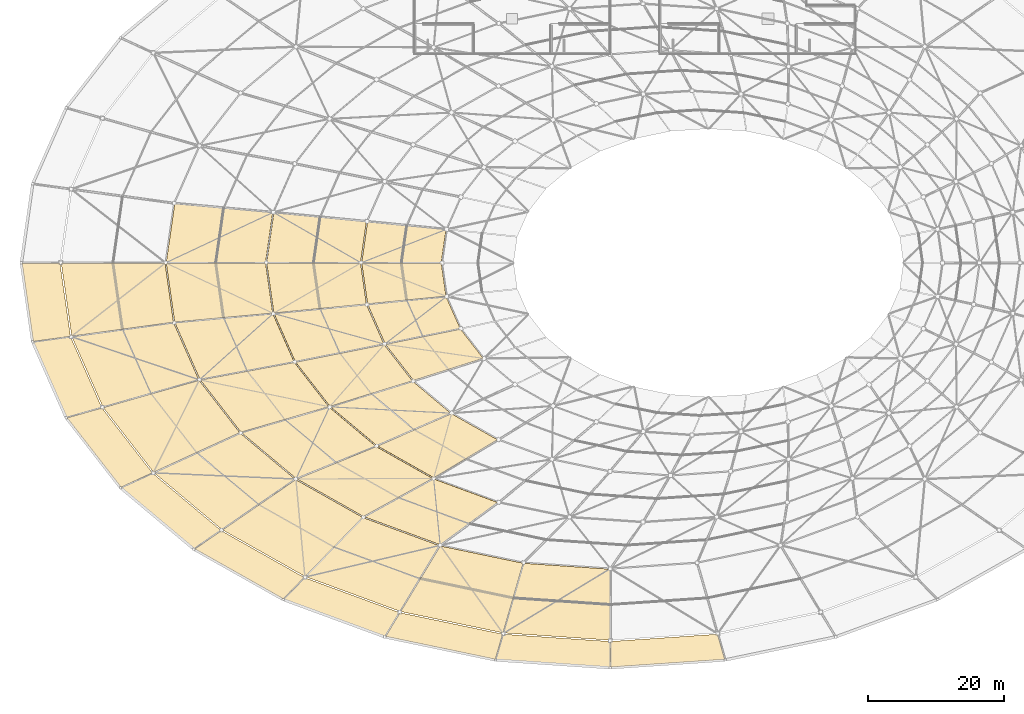
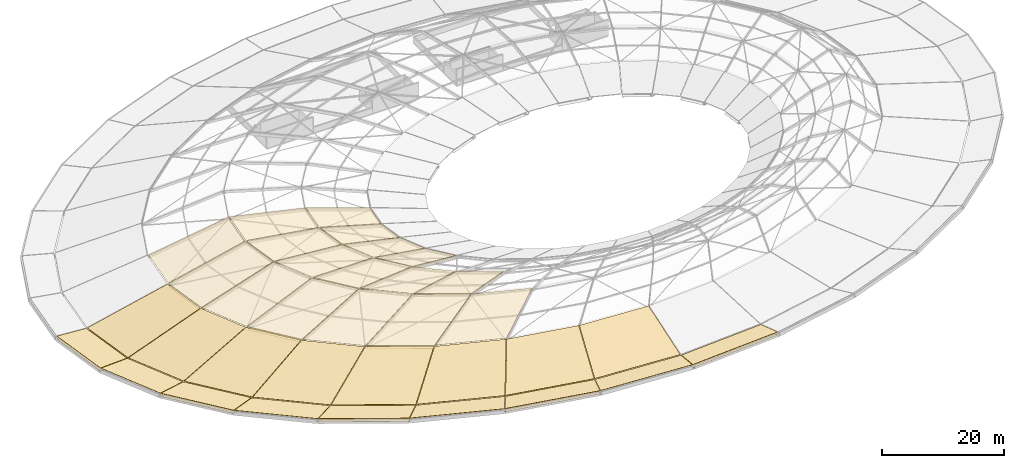
# One storey, part 24 of 30: 51 coverings.
"""IFC4 building model written with IfcOpenShell, lengths in metres."""

from ifc_helpers import new_model, si_unit, direction, frame, origin, place, context, subcontext, project, spatial, polyline, outline, extrude, material, layer, layer_set, type_object, element, save


model = new_model("IFC4")

# Units and contexts
model_context = context("Model", 3, precision=1e-05, world=origin(), true_north=direction((0.0, 1.0)))
body_context = subcontext(model_context, "Body", "Model", "MODEL_VIEW")
ifc_project = project(units=[si_unit("LENGTHUNIT", "METRE"), si_unit("AREAUNIT", "SQUARE_METRE"), si_unit("VOLUMEUNIT", "CUBIC_METRE"), si_unit("PLANEANGLEUNIT", "RADIAN"), si_unit("MASSUNIT", "GRAM", prefix="KILO")], contexts=[model_context])

# Site, building, storey
site_placement = place(None, origin())
site = spatial("IfcSite", under=ifc_project, at=site_placement, CompositionType="ELEMENT")
building_placement = place(site_placement, origin())
building = spatial("IfcBuilding", under=site, at=building_placement, Name="Namkhue Oval Health Centre", CompositionType="ELEMENT")
storey_placement = place(building_placement, frame((0.0, 0.0, 26.39990234375)))
storey = spatial("IfcBuildingStorey", under=building, at=storey_placement, Name="RF", CompositionType="ELEMENT", Elevation=26.39990234375)

# Coverings
ifc_material_1 = material(Name="Slatted FSC timber acoustic soffit lining", Category="wood")
ifc_layer_1 = layer(ifc_material_1, 0.0400390625)
ifc_layer_set_1 = layer_set([ifc_layer_1], Name="Slatted FSC timber acoustic soffit lining")
covering_type_1 = type_object("IfcCoveringType", Name="SLATTED TIMBER SOFFIT CEILING 40", PredefinedType="CEILING", material=ifc_layer_set_1)
covering_1_placement = place(storey_placement, frame((0.0966796875, 59.35791015625, 0.493896484375), z_axis=(0.069282681268, 0.009925887748, 0.997547686494), x_axis=(0.141818789153, -0.989892636119, -2.2834e-08)))
element("IfcCovering", 1, at=covering_1_placement, inside=storey, type_object=covering_type_1, Name="Gridshell Canopy Slatted Timber Soffit K0-17", PredefinedType="CEILING", context=body_context, shape_type="SweptSolid", body=[
    extrude(outline(polyline([(0.0, 0.0), (11.609775872580732, 0.0), (11.645242152580257, 5.535796385740252), (0.7911521895472892, 5.5358037144845245), (0.0, 0.0)])), origin(), (0.0, 0.0, -1.0), 0.0400390625),
])
covering_2_placement = place(storey_placement, frame((6.69775390625, 36.659423828125, 0.4931640625), z_axis=(0.061353092778, 0.047699993446, 0.996975681063), x_axis=(0.613788661906, -0.789470378492, -1.01146e-07)))
element("IfcCovering", 2, at=covering_2_placement, inside=storey, type_object=covering_type_1, Name="Gridshell Canopy Slatted Timber Soffit K0-19", PredefinedType="CEILING", context=body_context, shape_type="SweptSolid", body=[
    extrude(outline(polyline([(0.0, 0.0), (12.904530024973468, -1.7763568394002505e-15), (14.065122094901227, 4.966725279068559), (1.9974373308770812, 4.966757780622861), (0.0, 0.0)])), origin(), (0.0, 0.0, -1.0), 0.0400390625),
])
covering_3_placement = place(storey_placement, frame((25.428955078125, 17.431396484375, 0.491943359375), z_axis=(0.044082287911, 0.078130329397, 0.995968073545), x_axis=(0.870932540998, -0.491402593634, 7.5051e-07)))
element("IfcCovering", 3, at=covering_3_placement, inside=storey, type_object=covering_type_1, Name="Gridshell Canopy Slatted Timber Soffit K0-21", PredefinedType="CEILING", context=body_context, shape_type="SweptSolid", body=[
    extrude(outline(polyline([(0.0, 0.0), (14.922605270966258, 8.881784197001252e-16), (16.044276304038124, 4.278318608406351), (2.0835890926502767, 4.278076967777502), (0.0, 0.0)])), origin(), (0.0, 0.0, -1.0), 0.0400390625),
])
covering_4_placement = place(storey_placement, frame((53.4287109375, 4.59375, 0.4912109375), z_axis=(0.020162594612, 0.096678667987, 0.995111403278), x_axis=(0.978938643116, -0.204154679137, -5.43225e-07)))
element("IfcCovering", 4, at=covering_4_placement, inside=storey, type_object=covering_type_1, Name="Gridshell Canopy Slatted Timber Soffit K0-23", PredefinedType="CEILING", context=body_context, shape_type="SweptSolid", body=[
    extrude(outline(polyline([(0.0, 0.0), (16.44548514449708, 0.0), (16.739185501966013, 3.8712016919141634), (1.3480980272479761, 3.8713768096491212), (0.0, 0.0)])), origin(), (0.0, 0.0, -1.0), 0.0400390625),
])
covering_5_placement = place(storey_placement, frame((86.44189453125, 0.092529296875, 0.490966796875), z_axis=(-0.006804900221, 0.100488821262, 0.994914916028), x_axis=(0.997714776227, 0.067566450978, -3.25168e-07)))
element("IfcCovering", 5, at=covering_5_placement, inside=storey, type_object=covering_type_1, Name="Gridshell Canopy Slatted Timber Soffit K0-25", PredefinedType="CEILING", context=body_context, shape_type="SweptSolid", body=[
    extrude(outline(polyline([(0.0, 0.0), (16.78396061186959, 0.0), (15.964178744881922, 3.7910511423014657), (0.25543627977352656, 3.791156043824099), (0.0, 0.0)])), origin(), (0.0, 0.0, -1.0), 0.0400390625),
])
covering_6_placement = place(storey_placement, frame((5.854736328125, 59.35791015625, 0.1201171875), z_axis=(-0.221413348725, -0.031718459154, 0.97466407975), x_axis=(0.141800417917, -0.989895267933, -1.484862e-06)))
element("IfcCovering", 6, at=covering_6_placement, inside=storey, type_object=covering_type_1, Name="Gridshell Canopy Slatted Timber Soffit K1-17", PredefinedType="CEILING", context=body_context, shape_type="SweptSolid", body=[
    extrude(outline(polyline([(0.0, 0.0), (10.829644981357593, 0.0), (10.925804019640317, 15.468858873485592), (2.159716315494854, 15.468728786878048), (0.0, 0.0)])), origin(), (0.0, 0.0, -1.0), 0.0400390625),
])
covering_7_placement = place(storey_placement, frame((12.0166015625, 38.174072265625, 0.122314453125), z_axis=(-0.195063290882, -0.151654668639, 0.968994929827), x_axis=(0.613791429974, -0.789468226395, 1.686253e-06)))
element("IfcCovering", 7, at=covering_7_placement, inside=storey, type_object=covering_type_1, Name="Gridshell Canopy Slatted Timber Soffit K1-19", PredefinedType="CEILING", context=body_context, shape_type="SweptSolid", body=[
    extrude(outline(polyline([(0.0, 0.0), (12.03775000424654, -8.881784197001252e-16), (15.214208976742112, 13.985479492677714), (5.466552544333209, 13.985628171747823), (0.0, 0.0)])), origin(), (0.0, 0.0, -1.0), 0.0400390625),
])
covering_8_placement = place(storey_placement, frame((29.49853515625, 20.229736328125, 0.12548828125), z_axis=(-0.138902229904, -0.246186978016, 0.959217463552), x_axis=(0.870933882216, -0.49140021653, -1.747221e-06)))
element("IfcCovering", 8, at=covering_8_placement, inside=storey, type_object=covering_type_1, Name="Gridshell Canopy Slatted Timber Soffit K1-21", PredefinedType="CEILING", context=body_context, shape_type="SweptSolid", body=[
    extrude(outline(polyline([(0.0, 0.0), (13.921561245083678, 8.881784197001252e-16), (17.00337112042887, 12.202422015070987), (5.7236427018849385, 12.20226624210778), (0.0, 0.0)])), origin(), (0.0, 0.0, -1.0), 0.0400390625),
])
covering_9_placement = place(storey_placement, frame((55.630615234375, 8.248779296875, 0.1279296875), z_axis=(-0.063022801569, -0.302182288875, 0.951164544531), x_axis=(0.978936194294, -0.204166421091, -1.83896e-07)))
element("IfcCovering", 9, at=covering_9_placement, inside=storey, type_object=covering_type_1, Name="Gridshell Canopy Slatted Timber Soffit K1-23", PredefinedType="CEILING", context=body_context, shape_type="SweptSolid", body=[
    extrude(outline(polyline([(0.0, 0.0), (15.34320602890022, 4.440892098500626e-16), (16.15162340111352, 11.15812721258163), (3.7141082909073306, 11.158110662478554), (0.0, 0.0)])), origin(), (0.0, 0.0, -1.0), 0.0400390625),
])
covering_10_placement = place(storey_placement, frame((21.262451171875, 59.35791015625, 3.62060546875), z_axis=(-0.22470367184, -0.032192129763, 0.973895233915), x_axis=(0.141834633453, -0.989890366018, 4.193282e-06)))
element("IfcCovering", 10, at=covering_10_placement, inside=storey, type_object=covering_type_1, Name="Gridshell Canopy Slatted Timber Soffit K2-17", PredefinedType="CEILING", context=body_context, shape_type="SweptSolid", body=[
    extrude(outline(polyline([(0.0, 0.0), (8.745889658678347, 0.0), (9.480744511329501, 14.797891225040761), (2.064996149093741, 14.798189775302994), (0.0, 0.0)])), origin(), (0.0, 0.0, -1.0), 0.0400390625),
])
covering_11_placement = place(storey_placement, frame((26.25830078125, 42.21875, 3.62353515625), z_axis=(-0.205052770393, -0.159424689867, 0.965679620586), x_axis=(0.613799403914, -0.789462026796, 1.583811e-06)))
element("IfcCovering", 11, at=covering_11_placement, inside=storey, type_object=covering_type_1, Name="Gridshell Canopy Slatted Timber Soffit K2-19", PredefinedType="CEILING", context=body_context, shape_type="SweptSolid", body=[
    extrude(outline(polyline([(0.0, 0.0), (9.719092044133925, -8.881784197001252e-16), (14.671067427182678, 12.910209762648428), (6.4274927459303495, 12.910319294848465), (0.0, 0.0)])), origin(), (0.0, 0.0, -1.0), 0.0400390625),
])
covering_12_placement = place(storey_placement, frame((40.42041015625, 27.70361328125, 3.62890625), z_axis=(-0.157932716569, -0.279916679533, 0.946944512396), x_axis=(0.870935925202, -0.491396595625, -8.73078e-07)))
element("IfcCovering", 12, at=covering_12_placement, inside=storey, type_object=covering_type_1, Name="Gridshell Canopy Slatted Timber Soffit K2-21", PredefinedType="CEILING", context=body_context, shape_type="SweptSolid", body=[
    extrude(outline(polyline([(0.0, 0.0), (11.233819732945681, 0.0), (17.325795123263152, 10.399286026935444), (7.791027880475331, 10.399229608860034), (0.0, 0.0)])), origin(), (0.0, 0.0, -1.0), 0.0400390625),
])
covering_13_placement = place(storey_placement, frame((35.999755859375, 59.35791015625, 6.98583984375), z_axis=(0.155892882129, 0.022331172945, 0.987521507622), x_axis=(0.141818146376, -0.989892728203, -3.011444e-06)))
element("IfcCovering", 13, at=covering_13_placement, inside=storey, type_object=covering_type_1, Name="Gridshell Canopy Slatted Timber Soffit K3-17", PredefinedType="CEILING", context=body_context, shape_type="SweptSolid", body=[
    extrude(outline(polyline([(0.0, 0.0), (7.399002988090212, 0.0), (8.021045574500889, 13.789362744120753), (1.950940888829387, 13.789620303076617), (0.0, 0.0)])), origin(), (0.0, 0.0, -1.0), 0.0400390625),
])
covering_14_placement = place(storey_placement, frame((40.239013671875, 44.834228515625, 6.98388671875), z_axis=(0.142248579198, 0.110596646887, 0.983632921071), x_axis=(0.613786820407, -0.789471810191, 2.675678e-06)))
element("IfcCovering", 14, at=covering_14_placement, inside=storey, type_object=covering_type_1, Name="Gridshell Canopy Slatted Timber Soffit K3-19", PredefinedType="CEILING", context=body_context, shape_type="SweptSolid", body=[
    extrude(outline(polyline([(0.0, 0.0), (8.222526150547626, 0.0), (12.685524010571982, 12.02944945295332), (5.9369950008427645, 12.029227137281696), (0.0, 0.0)])), origin(), (0.0, 0.0, -1.0), 0.0400390625),
])
covering_15_placement = place(storey_placement, frame((52.24560546875, 32.537109375, 6.97998046875), z_axis=(0.109499132957, 0.194068108634, 0.974857686585), x_axis=(0.87093592345, -0.491396598725, -2.379809e-06)))
element("IfcCovering", 15, at=covering_15_placement, inside=storey, type_object=covering_type_1, Name="Gridshell Canopy Slatted Timber Soffit K3-21", PredefinedType="CEILING", context=body_context, shape_type="SweptSolid", body=[
    extrude(outline(polyline([(0.0, 0.0), (9.50536278200082, -4.440892098500626e-16), (14.905402502878077, 9.69300477375637), (7.097549177336798, 9.693189679027553), (0.0, 0.0)])), origin(), (0.0, 0.0, -1.0), 0.0400390625),
])
covering_16_placement = place(storey_placement, frame((49.933349609375, 59.35791015625, 4.775146484375), z_axis=(0.275812295633, 0.039514441976, 0.960398972538), x_axis=(0.141816706883, -0.989892934437, 2.86793e-07)))
element("IfcCovering", 16, at=covering_16_placement, inside=storey, type_object=covering_type_1, Name="Gridshell Canopy Slatted Timber Soffit K4-17", PredefinedType="CEILING", context=body_context, shape_type="SweptSolid", body=[
    extrude(outline(polyline([(0.0, 0.0), (6.052875961513546, 0.0), (6.553704498674804, 12.023537177294001), (1.6543310879363076, 12.0235259041184), (0.0, 0.0)])), origin(), (0.0, 0.0, -1.0), 0.0400390625),
])
covering_17_placement = place(storey_placement, frame((53.414794921875, 47.4482421875, 4.771728515625), z_axis=(0.249144348708, 0.193700191967, 0.948897955072), x_axis=(0.613787122284, -0.789471575497, -8.40028e-07)))
element("IfcCovering", 17, at=covering_17_placement, inside=storey, type_object=covering_type_1, Name="Gridshell Canopy Slatted Timber Soffit K4-19", PredefinedType="CEILING", context=body_context, shape_type="SweptSolid", body=[
    extrude(outline(polyline([(0.0, 0.0), (6.727330628063897, -4.440892098500626e-16), (10.432640643092315, 10.593892153102285), (4.984067476655105, 10.59392456326599), (0.0, 0.0)])), origin(), (0.0, 0.0, -1.0), 0.0400390625),
])
ifc_material_2 = material(Name="Standing-seam aluminium-zinc insulated roofing", Category="aluminium")
ifc_layer_2 = layer(ifc_material_2, 0.044921875)
ifc_layer_set_2 = layer_set([ifc_layer_2], Name="Standing-seam aluminium-zinc insulated roofing")
covering_type_2 = type_object("IfcCoveringType", Name="STANDING SEAM ROOFING 45", PredefinedType="ROOFING", material=ifc_layer_set_2)
covering_18_placement = place(storey_placement, frame((0.0966796875, 59.35791015625, 1.140869140625), z_axis=(0.069282681268, 0.009925887748, 0.997547686494), x_axis=(0.141818789153, -0.989892636119, -2.2834e-08)))
element("IfcCovering", 18, at=covering_18_placement, inside=storey, type_object=covering_type_2, Name="Elliptical Gridshell Standing Seam Roofing K0-17", PredefinedType="ROOFING", context=body_context, shape_type="SweptSolid", body=[
    extrude(outline(polyline([(0.0, 0.0), (11.609775872580732, 0.0), (11.645242152580257, 5.535796385740252), (0.7911521895472892, 5.5358037144845245), (0.0, 0.0)])), origin(), (0.0, 0.0, -1.0), 0.044921875),
])
covering_19_placement = place(storey_placement, frame((1.770263671875, 47.784423828125, 1.140625), z_axis=(0.06660838472, 0.029389630456, 0.997346265199), x_axis=(0.403673089627, -0.914903293638, 6.58997e-07)))
element("IfcCovering", 19, at=covering_19_placement, inside=storey, type_object=covering_type_2, Name="Elliptical Gridshell Standing Seam Roofing K0-18", PredefinedType="ROOFING", context=body_context, shape_type="SweptSolid", body=[
    extrude(outline(polyline([(0.0, 0.0), (12.080233983209022, 1.7763568394002505e-15), (12.817041356788296, 5.315245851747813), (1.5223159103975274, 5.315034269718734), (0.0, 0.0)])), origin(), (0.0, 0.0, -1.0), 0.044921875),
])
covering_20_placement = place(storey_placement, frame((6.69775390625, 36.659423828125, 1.14013671875), z_axis=(0.061353092778, 0.047699993446, 0.996975681063), x_axis=(0.613788661906, -0.789470378492, -1.01146e-07)))
element("IfcCovering", 20, at=covering_20_placement, inside=storey, type_object=covering_type_2, Name="Elliptical Gridshell Standing Seam Roofing K0-19", PredefinedType="ROOFING", context=body_context, shape_type="SweptSolid", body=[
    extrude(outline(polyline([(0.0, 0.0), (12.904530024973468, -1.7763568394002505e-15), (14.065122094901227, 4.966725279068559), (1.9974373308770812, 4.966757780622861), (0.0, 0.0)])), origin(), (0.0, 0.0, -1.0), 0.044921875),
])
covering_21_placement = place(storey_placement, frame((14.686767578125, 26.41064453125, 1.1396484375), z_axis=(0.053761436773, 0.064177212126, 0.996489334293), x_axis=(0.766569996245, -0.642160759356, 1.83531e-07)))
element("IfcCovering", 21, at=covering_21_placement, inside=storey, type_object=covering_type_2, Name="Elliptical Gridshell Standing Seam Roofing K0-20", PredefinedType="ROOFING", context=body_context, shape_type="SweptSolid", body=[
    extrude(outline(polyline([(0.0, 0.0), (13.909490126418302, 0.0), (15.183499884355886, 4.598822558229168), (2.173459471324449, 4.598763544971246), (0.0, 0.0)])), origin(), (0.0, 0.0, -1.0), 0.044921875),
])
covering_22_placement = place(storey_placement, frame((25.428955078125, 17.431396484375, 1.138916015625), z_axis=(0.044082287911, 0.078130329397, 0.995968073545), x_axis=(0.870932540998, -0.491402593634, 7.5051e-07)))
element("IfcCovering", 22, at=covering_22_placement, inside=storey, type_object=covering_type_2, Name="Elliptical Gridshell Standing Seam Roofing K0-21", PredefinedType="ROOFING", context=body_context, shape_type="SweptSolid", body=[
    extrude(outline(polyline([(0.0, 0.0), (14.922605270966258, 8.881784197001252e-16), (16.044276304038124, 4.278318608406351), (2.0835890926502767, 4.278076967777502), (0.0, 0.0)])), origin(), (0.0, 0.0, -1.0), 0.044921875),
])
covering_23_placement = place(storey_placement, frame((38.51025390625, 10.065185546875, 1.138671875), z_axis=(0.032758556308, 0.089145539327, 0.995479758612), x_axis=(0.938630574461, -0.344924114389, 2.64876e-07)))
element("IfcCovering", 23, at=covering_23_placement, inside=storey, type_object=covering_type_2, Name="Elliptical Gridshell Standing Seam Roofing K0-22", PredefinedType="ROOFING", context=body_context, shape_type="SweptSolid", body=[
    extrude(outline(polyline([(0.0, 0.0), (15.802557697564417, 8.881784197001252e-16), (16.57517664740837, 4.0333275799833626), (1.7880925501476064, 4.033242267497865), (0.0, 0.0)])), origin(), (0.0, 0.0, -1.0), 0.044921875),
])
covering_24_placement = place(storey_placement, frame((53.4287109375, 4.59375, 1.13818359375), z_axis=(0.020149844849, 0.096617533487, 0.995117599068), x_axis=(0.97893864313, -0.204154679071, -5.42885e-07)))
element("IfcCovering", 24, at=covering_24_placement, inside=storey, type_object=covering_type_2, Name="Elliptical Gridshell Standing Seam Roofing K0-23", PredefinedType="ROOFING", context=body_context, shape_type="SweptSolid", body=[
    extrude(outline(polyline([(0.0, 0.0), (16.445485144497084, 4.440892098500626e-16), (16.739185501966013, 3.8711775879357933), (1.348098027247982, 3.8713527067610745), (0.0, 0.0)])), origin(), (0.0, 0.0, -1.0), 0.044921875),
])
covering_25_placement = place(storey_placement, frame((69.612548828125, 1.2265625, 1.137939453125), z_axis=(0.006805001738, 0.100488806798, 0.994914916794), x_axis=(0.997714709797, -0.067567431901, 3.21913e-07)))
element("IfcCovering", 25, at=covering_25_placement, inside=storey, type_object=covering_type_2, Name="Elliptical Gridshell Standing Seam Roofing K0-24", PredefinedType="ROOFING", context=body_context, shape_type="SweptSolid", body=[
    extrude(outline(polyline([(0.0, 0.0), (16.783717029169217, -2.220446049250313e-16), (16.528277042239566, 3.79115579404573), (0.8197781599347205, 3.7910519439176347), (0.0, 0.0)])), origin(), (0.0, 0.0, -1.0), 0.044921875),
])
covering_26_placement = place(storey_placement, frame((86.44189453125, 0.092529296875, 1.137939453125), z_axis=(-0.006804900221, 0.100488821262, 0.994914916028), x_axis=(0.997714776227, 0.067566450978, -3.25168e-07)))
element("IfcCovering", 26, at=covering_26_placement, inside=storey, type_object=covering_type_2, Name="Elliptical Gridshell Standing Seam Roofing K0-25", PredefinedType="ROOFING", context=body_context, shape_type="SweptSolid", body=[
    extrude(outline(polyline([(0.0, 0.0), (16.78396061186959, 0.0), (15.964178744881922, 3.7910511423014657), (0.25543627977352656, 3.791156043824099), (0.0, 0.0)])), origin(), (0.0, 0.0, -1.0), 0.044921875),
])
covering_27_placement = place(storey_placement, frame((5.854736328125, 59.35791015625, 0.772216796875), z_axis=(-0.221398506983, -0.031716333008, 0.974667520402), x_axis=(0.141800417871, -0.98989526794, -1.484768e-06)))
element("IfcCovering", 27, at=covering_27_placement, inside=storey, type_object=covering_type_2, Name="Elliptical Gridshell Standing Seam Roofing K1-17", PredefinedType="ROOFING", context=body_context, shape_type="SweptSolid", body=[
    extrude(outline(polyline([(0.0, 0.0), (10.829644981357593, 0.0), (10.925804019640314, 15.46880426773081), (2.1597163154948573, 15.468674180664047), (0.0, 0.0)])), origin(), (0.0, 0.0, -1.0), 0.044921875),
])
covering_28_placement = place(storey_placement, frame((7.417236328125, 48.556640625, 0.77294921875), z_axis=(-0.212455276554, -0.093744007114, 0.972663773662), x_axis=(0.40369434951, -0.91489391307, 1.206145e-06)))
element("IfcCovering", 28, at=covering_28_placement, inside=storey, type_object=covering_type_2, Name="Elliptical Gridshell Standing Seam Roofing K1-18", PredefinedType="ROOFING", context=body_context, shape_type="SweptSolid", body=[
    extrude(outline(polyline([(0.0, 0.0), (11.26859789441724, 0.0), (13.282148362388455, 14.892198063103375), (4.159616897492366, 14.892303975045468), (0.0, 0.0)])), origin(), (0.0, 0.0, -1.0), 0.044921875),
])
covering_29_placement = place(storey_placement, frame((12.0166015625, 38.174072265625, 0.7744140625), z_axis=(-0.195050350647, -0.151644608073, 0.968999109161), x_axis=(0.613791430019, -0.78946822636, 1.686149e-06)))
element("IfcCovering", 29, at=covering_29_placement, inside=storey, type_object=covering_type_2, Name="Elliptical Gridshell Standing Seam Roofing K1-19", PredefinedType="ROOFING", context=body_context, shape_type="SweptSolid", body=[
    extrude(outline(polyline([(0.0, 0.0), (12.037750004246542, 0.0), (15.214208976742107, 13.985419171817103), (5.466552544333212, 13.985567851528476), (0.0, 0.0)])), origin(), (0.0, 0.0, -1.0), 0.044921875),
])
covering_30_placement = place(storey_placement, frame((19.472900390625, 28.609619140625, 0.77587890625), z_axis=(-0.170139954778, -0.203101541459, 0.964262495198), x_axis=(0.766567188437, -0.642164111121, -8.44234e-07)))
element("IfcCovering", 30, at=covering_30_placement, inside=storey, type_object=covering_type_2, Name="Elliptical Gridshell Standing Seam Roofing K1-20", PredefinedType="ROOFING", context=body_context, shape_type="SweptSolid", body=[
    extrude(outline(polyline([(0.0, 0.0), (12.97606206912592, -8.881784197001252e-16), (16.469453198870333, 13.030469011837354), (5.959172281503766, 13.030394174837976), (0.0, 0.0)])), origin(), (0.0, 0.0, -1.0), 0.044921875),
])
covering_31_placement = place(storey_placement, frame((29.49853515625, 20.229736328125, 0.777587890625), z_axis=(-0.138893183701, -0.246170944741, 0.959222888325), x_axis=(0.870933882183, -0.491400216588, -1.747117e-06)))
element("IfcCovering", 31, at=covering_31_placement, inside=storey, type_object=covering_type_2, Name="Elliptical Gridshell Standing Seam Roofing K1-21", PredefinedType="ROOFING", context=body_context, shape_type="SweptSolid", body=[
    extrude(outline(polyline([(0.0, 0.0), (13.921561245083682, 0.0), (17.003371120428874, 12.202353006885643), (5.723642701884943, 12.202197233041476), (0.0, 0.0)])), origin(), (0.0, 0.0, -1.0), 0.044921875),
])
covering_32_placement = place(storey_placement, frame((41.707275390625, 13.35498046875, 0.77880859375), z_axis=(-0.10272038654, -0.279529656493, 0.95462646796), x_axis=(0.938630095371, -0.344925418119, -4.58219e-07)))
element("IfcCovering", 32, at=covering_32_placement, inside=storey, type_object=covering_type_2, Name="Elliptical Gridshell Standing Seam Roofing K1-22", PredefinedType="ROOFING", context=body_context, shape_type="SweptSolid", body=[
    extrude(outline(polyline([(0.0, 0.0), (14.742906242601473, 0.0), (16.868784747348663, 11.573114749654996), (4.92018237811121, 11.57307368076972), (0.0, 0.0)])), origin(), (0.0, 0.0, -1.0), 0.044921875),
])
covering_33_placement = place(storey_placement, frame((55.630615234375, 8.248779296875, 0.77978515625), z_axis=(-0.063026843037, -0.302201666942, 0.951158120164), x_axis=(0.978936194296, -0.204166421083, -1.83906e-07)))
element("IfcCovering", 33, at=covering_33_placement, inside=storey, type_object=covering_type_2, Name="Elliptical Gridshell Standing Seam Roofing K1-23", PredefinedType="ROOFING", context=body_context, shape_type="SweptSolid", body=[
    extrude(outline(polyline([(0.0, 0.0), (15.34320602890022, 8.881784197001252e-16), (16.15162340111352, 11.158202577315773), (3.71410829090733, 11.158186027324483), (0.0, 0.0)])), origin(), (0.0, 0.0, -1.0), 0.044921875),
])
covering_34_placement = place(storey_placement, frame((70.735107421875, 5.1064453125, 0.7802734375), z_axis=(-0.021240165076, -0.313672787053, 0.949293546828), x_axis=(0.997715340392, -0.067558119765, 5.21245e-07)))
element("IfcCovering", 34, at=covering_34_placement, inside=storey, type_object=covering_type_2, Name="Elliptical Gridshell Standing Seam Roofing K1-24", PredefinedType="ROOFING", context=body_context, shape_type="SweptSolid", body=[
    extrude(outline(polyline([(0.0, 0.0), (15.658577070304425, -2.220446049250313e-16), (14.954513079524535, 10.953222760389535), (2.259979851108717, 10.953269768441277), (0.0, 0.0)])), origin(), (0.0, 0.0, -1.0), 0.044921875),
])
covering_35_placement = place(storey_placement, frame((22.5029296875, 68.099609375, 4.277587890625), z_axis=(-0.224703721085, 0.032191154317, 0.973895254796), x_axis=(-0.14183069767, -0.989890929941, -4.26519e-06)))
element("IfcCovering", 35, at=covering_35_placement, inside=storey, type_object=covering_type_2, Name="Elliptical Gridshell Standing Seam Roofing K2-16", PredefinedType="ROOFING", context=body_context, shape_type="SweptSolid", body=[
    extrude(outline(polyline([(0.0, 0.0), (8.746131331162887, 0.0), (6.681192241902822, 14.798197737537187), (-0.7347977940524132, 14.797894058426351), (0.0, 0.0)])), origin(), (0.0, 0.0, -1.0), 0.044921875),
])
covering_36_placement = place(storey_placement, frame((21.262451171875, 59.35791015625, 4.277587890625), z_axis=(-0.22470367184, -0.032192129763, 0.973895233915), x_axis=(0.141834633453, -0.989890366018, 4.193282e-06)))
element("IfcCovering", 36, at=covering_36_placement, inside=storey, type_object=covering_type_2, Name="Elliptical Gridshell Standing Seam Roofing K2-17", PredefinedType="ROOFING", context=body_context, shape_type="SweptSolid", body=[
    extrude(outline(polyline([(0.0, 0.0), (8.745889658678347, 0.0), (9.480744511329501, 14.797891225040761), (2.064996149093741, 14.798189775302994), (0.0, 0.0)])), origin(), (0.0, 0.0, -1.0), 0.044921875),
])
covering_37_placement = place(storey_placement, frame((22.531005859375, 50.618896484375, 4.278564453125), z_axis=(-0.218196246313, -0.096274761235, 0.971144463221), x_axis=(0.403682414662, -0.914899179196, 2.96095e-07)))
element("IfcCovering", 37, at=covering_37_placement, inside=storey, type_object=covering_type_2, Name="Elliptical Gridshell Standing Seam Roofing K2-18", PredefinedType="ROOFING", context=body_context, shape_type="SweptSolid", body=[
    extrude(outline(polyline([(0.0, 0.0), (9.099577056047469, 4.440892098500626e-16), (12.310291487029255, 14.07667411645023), (4.593806259131734, 14.076694994085788), (0.0, 0.0)])), origin(), (0.0, 0.0, -1.0), 0.044921875),
])
covering_38_placement = place(storey_placement, frame((26.25830078125, 42.21875, 4.280517578125), z_axis=(-0.205052770393, -0.159424689867, 0.965679620586), x_axis=(0.613799403914, -0.789462026796, 1.583811e-06)))
element("IfcCovering", 38, at=covering_38_placement, inside=storey, type_object=covering_type_2, Name="Elliptical Gridshell Standing Seam Roofing K2-19", PredefinedType="ROOFING", context=body_context, shape_type="SweptSolid", body=[
    extrude(outline(polyline([(0.0, 0.0), (9.719092044133925, -8.881784197001252e-16), (14.671067427182678, 12.910209762648428), (6.4274927459303495, 12.910319294848465), (0.0, 0.0)])), origin(), (0.0, 0.0, -1.0), 0.044921875),
])
covering_39_placement = place(storey_placement, frame((32.299560546875, 34.481201171875, 4.282958984375), z_axis=(-0.185072669493, -0.220922026599, 0.957570658056), x_axis=(0.766558602008, -0.642174360813, -1.477096e-06)))
element("IfcCovering", 39, at=covering_39_placement, inside=storey, type_object=covering_type_2, Name="Elliptical Gridshell Standing Seam Roofing K2-20", PredefinedType="ROOFING", context=body_context, shape_type="SweptSolid", body=[
    extrude(outline(polyline([(0.0, 0.0), (10.47352077467421, 8.881784197001252e-16), (16.34591872076189, 11.617574269087354), (7.45951695736683, 11.61747504423069), (0.0, 0.0)])), origin(), (0.0, 0.0, -1.0), 0.044921875),
])
covering_40_placement = place(storey_placement, frame((40.42041015625, 27.70361328125, 4.2861328125), z_axis=(-0.157922371756, -0.279898344601, 0.946951657261), x_axis=(0.870935925183, -0.491396595658, -8.73028e-07)))
element("IfcCovering", 40, at=covering_40_placement, inside=storey, type_object=covering_type_2, Name="Elliptical Gridshell Standing Seam Roofing K2-21", PredefinedType="ROOFING", context=body_context, shape_type="SweptSolid", body=[
    extrude(outline(polyline([(0.0, 0.0), (11.233819732945681, 0.0), (17.32579512326315, 10.399207563773569), (7.791027880475329, 10.399151145272478), (0.0, 0.0)])), origin(), (0.0, 0.0, -1.0), 0.044921875),
])
covering_41_placement = place(storey_placement, frame((50.307373046875, 22.146240234375, 4.289306640625), z_axis=(-0.12320577154, -0.335264184745, 0.934033331465), x_axis=(0.938626054315, -0.344936414664, -7.26571e-07)))
element("IfcCovering", 41, at=covering_41_placement, inside=storey, type_object=covering_type_2, Name="Elliptical Gridshell Standing Seam Roofing K2-22", PredefinedType="ROOFING", context=body_context, shape_type="SweptSolid", body=[
    extrude(outline(polyline([(0.0, 0.0), (11.894308419477884, 0.0), (17.680300053307555, 9.338853007520287), (7.581509050073895, 9.33880827016473), (0.0, 0.0)])), origin(), (0.0, 0.0, -1.0), 0.044921875),
])
covering_42_placement = place(storey_placement, frame((37.049072265625, 66.766357421875, 7.64794921875), z_axis=(0.155892923106, -0.022330361033, 0.987521519513), x_axis=(-0.141813502999, -0.989893393431, 3.083132e-06)))
element("IfcCovering", 42, at=covering_42_placement, inside=storey, type_object=covering_type_2, Name="Elliptical Gridshell Standing Seam Roofing K3-16", PredefinedType="ROOFING", context=body_context, shape_type="SweptSolid", body=[
    extrude(outline(polyline([(0.0, 0.0), (7.399244661182281, 2.220446049250313e-16), (5.448367493714087, 13.789629318156306), (-0.6219788662908093, 13.789365618407428), (0.0, 0.0)])), origin(), (0.0, 0.0, -1.0), 0.044921875),
])
covering_43_placement = place(storey_placement, frame((35.999755859375, 59.35791015625, 7.64794921875), z_axis=(0.155892882129, 0.022331172945, 0.987521507622), x_axis=(0.141818146376, -0.989892728203, -3.011444e-06)))
element("IfcCovering", 43, at=covering_43_placement, inside=storey, type_object=covering_type_2, Name="Elliptical Gridshell Standing Seam Roofing K3-17", PredefinedType="ROOFING", context=body_context, shape_type="SweptSolid", body=[
    extrude(outline(polyline([(0.0, 0.0), (7.399002988090212, 0.0), (8.021045574500889, 13.789362744120753), (1.950940888829387, 13.789620303076617), (0.0, 0.0)])), origin(), (0.0, 0.0, -1.0), 0.044921875),
])
covering_44_placement = place(storey_placement, frame((37.077392578125, 51.9521484375, 7.647216796875), z_axis=(0.151372487551, 0.06678893096, 0.986217830255), x_axis=(0.403679898598, -0.914900289358, -8.29598e-07)))
element("IfcCovering", 44, at=covering_44_placement, inside=storey, type_object=covering_type_2, Name="Elliptical Gridshell Standing Seam Roofing K3-18", PredefinedType="ROOFING", context=body_context, shape_type="SweptSolid", body=[
    extrude(outline(polyline([(0.0, 0.0), (7.6983398137062515, -4.440892098500626e-16), (10.587499032002553, 13.116530248974778), (4.270937115413435, 13.11660052145771), (0.0, 0.0)])), origin(), (0.0, 0.0, -1.0), 0.044921875),
])
covering_45_placement = place(storey_placement, frame((40.239013671875, 44.834228515625, 7.64599609375), z_axis=(0.142264081512, 0.110608699759, 0.983629323805), x_axis=(0.613786820492, -0.789471810126, 2.67596e-06)))
element("IfcCovering", 45, at=covering_45_placement, inside=storey, type_object=covering_type_2, Name="Elliptical Gridshell Standing Seam Roofing K3-19", PredefinedType="ROOFING", context=body_context, shape_type="SweptSolid", body=[
    extrude(outline(polyline([(0.0, 0.0), (8.22252615054762, -8.881784197001252e-16), (12.68552401057199, 12.02949344489767), (5.9369950008427566, 12.029271130039081), (0.0, 0.0)])), origin(), (0.0, 0.0, -1.0), 0.044921875),
])
covering_46_placement = place(storey_placement, frame((45.361328125, 38.278564453125, 7.64404296875), z_axis=(0.128373672075, 0.153246921672, 0.979814054459), x_axis=(0.76657476485, -0.642155066861, 2.75306e-07)))
element("IfcCovering", 46, at=covering_46_placement, inside=storey, type_object=covering_type_2, Name="Elliptical Gridshell Standing Seam Roofing K3-20", PredefinedType="ROOFING", context=body_context, shape_type="SweptSolid", body=[
    extrude(outline(polyline([(0.0, 0.0), (8.861456678608304, 8.881784197001252e-16), (14.124290805183241, 10.825147676203883), (6.848577422000927, 10.825125453023261), (0.0, 0.0)])), origin(), (0.0, 0.0, -1.0), 0.044921875),
])
covering_47_placement = place(storey_placement, frame((52.24560546875, 32.537109375, 7.64208984375), z_axis=(0.109499132957, 0.194068108634, 0.974857686585), x_axis=(0.87093592345, -0.491396598725, -2.379809e-06)))
element("IfcCovering", 47, at=covering_47_placement, inside=storey, type_object=covering_type_2, Name="Elliptical Gridshell Standing Seam Roofing K3-21", PredefinedType="ROOFING", context=body_context, shape_type="SweptSolid", body=[
    extrude(outline(polyline([(0.0, 0.0), (9.50536278200082, -4.440892098500626e-16), (14.905402502878077, 9.69300477375637), (7.097549177336798, 9.693189679027553), (0.0, 0.0)])), origin(), (0.0, 0.0, -1.0), 0.044921875),
])
covering_48_placement = place(storey_placement, frame((50.791748046875, 65.433837890625, 5.442138671875), z_axis=(0.275793855629, -0.039510020706, 0.960404449938), x_axis=(-0.141810998494, -0.989893752231, -1.25574e-07)))
element("IfcCovering", 48, at=covering_48_placement, inside=storey, type_object=covering_type_2, Name="Elliptical Gridshell Standing Seam Roofing K4-16", PredefinedType="ROOFING", context=body_context, shape_type="SweptSolid", body=[
    extrude(outline(polyline([(0.0, 0.0), (6.053117634695362, 2.220446049250313e-16), (4.3988525965996965, 12.02346696959696), (-0.5007624872715147, 12.02347190617102), (0.0, 0.0)])), origin(), (0.0, 0.0, -1.0), 0.044921875),
])
covering_49_placement = place(storey_placement, frame((49.933349609375, 59.35791015625, 5.442138671875), z_axis=(0.275793755909, 0.039511785869, 0.960404405956), x_axis=(0.141816706872, -0.989892934439, 2.86775e-07)))
element("IfcCovering", 49, at=covering_49_placement, inside=storey, type_object=covering_type_2, Name="Elliptical Gridshell Standing Seam Roofing K4-17", PredefinedType="ROOFING", context=body_context, shape_type="SweptSolid", body=[
    extrude(outline(polyline([(0.0, 0.0), (6.052875961513546, -1.1102230246251565e-16), (6.553704498674804, 12.023469155094316), (1.6543310879363078, 12.023457881854938), (0.0, 0.0)])), origin(), (0.0, 0.0, -1.0), 0.044921875),
])
covering_50_placement = place(storey_placement, frame((50.819580078125, 53.28466796875, 5.44091796875), z_axis=(0.266899497987, 0.117760990425, 0.956502486724), x_axis=(0.403666520154, -0.914906192187, 1.952692e-06)))
element("IfcCovering", 50, at=covering_50_placement, inside=storey, type_object=covering_type_2, Name="Elliptical Gridshell Standing Seam Roofing K4-18", PredefinedType="ROOFING", context=body_context, shape_type="SweptSolid", body=[
    extrude(outline(polyline([(0.0, 0.0), (6.297871219770438, 0.0), (8.694544450677173, 11.47547423911644), (3.5955845015228145, 11.475397953014209), (0.0, 0.0)])), origin(), (0.0, 0.0, -1.0), 0.044921875),
])
covering_51_placement = place(storey_placement, frame((53.414794921875, 47.4482421875, 5.438720703125), z_axis=(0.249144348708, 0.193700191967, 0.948897955072), x_axis=(0.613787122284, -0.789471575497, -8.40028e-07)))
element("IfcCovering", 51, at=covering_51_placement, inside=storey, type_object=covering_type_2, Name="Elliptical Gridshell Standing Seam Roofing K4-19", PredefinedType="ROOFING", context=body_context, shape_type="SweptSolid", body=[
    extrude(outline(polyline([(0.0, 0.0), (6.727330628063897, -4.440892098500626e-16), (10.432640643092315, 10.593892153102285), (4.984067476655105, 10.59392456326599), (0.0, 0.0)])), origin(), (0.0, 0.0, -1.0), 0.044921875),
])

save(model, "model.ifc")
